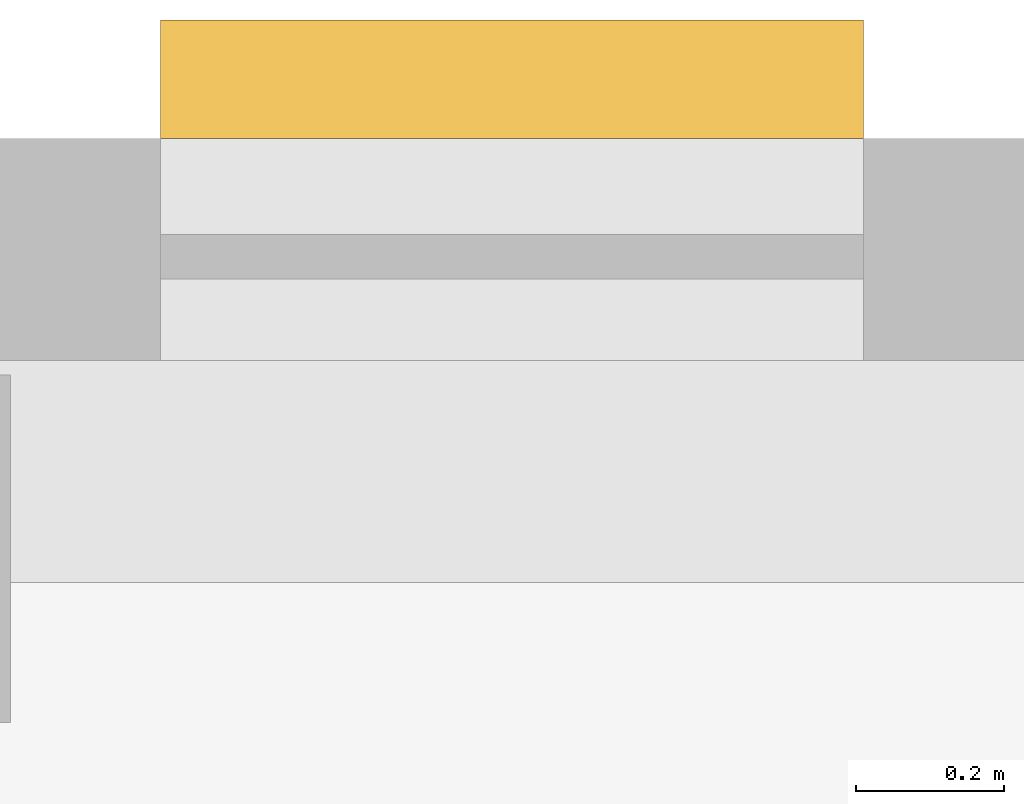
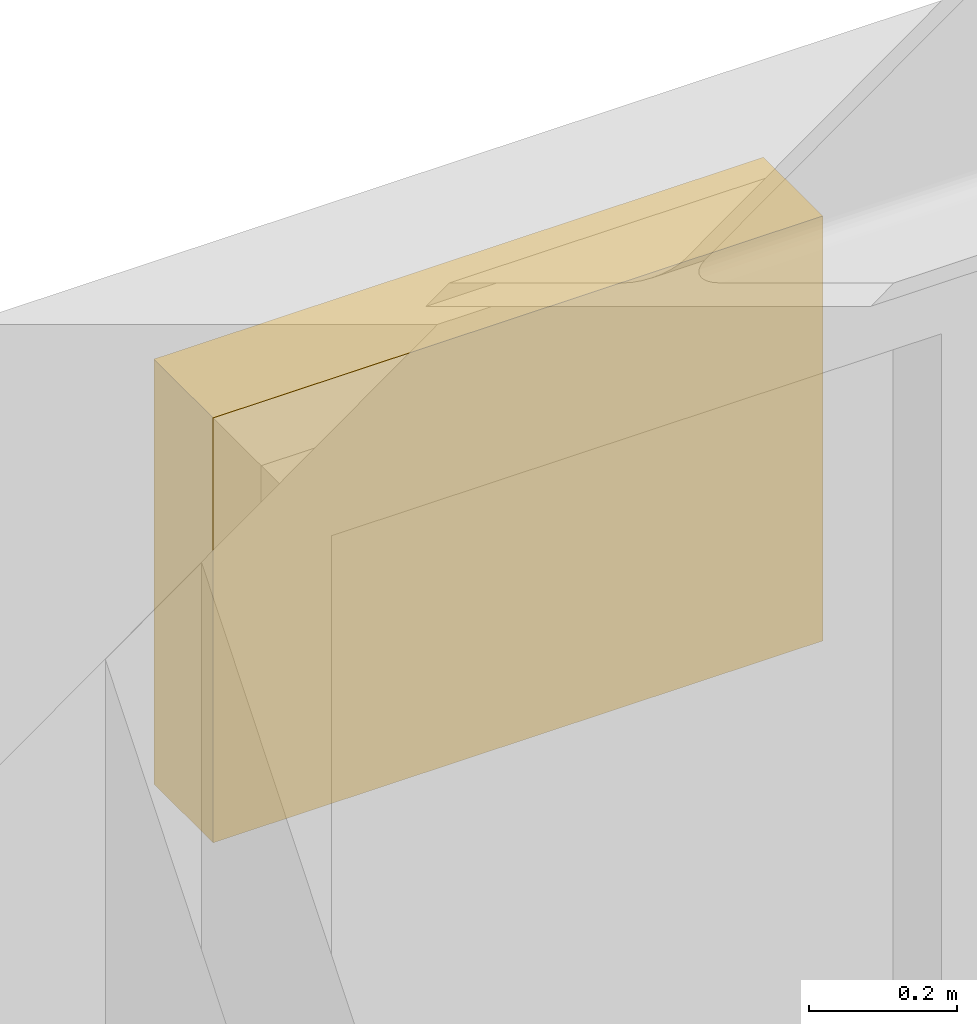
# One storey, part 10 of 10: 1 shading device.
"""IFC4 building model written with IfcOpenShell, lengths in metres."""

from ifc_helpers import new_model, si_unit, direction, frame, origin, origin_2d, place, context, subcontext, project, spatial, rectangle, extrude, material, type_object, element, save


model = new_model("IFC4")

# Units and contexts
model_context = context("Model", 3, precision=1e-05, world=origin(), true_north=direction((0.0, 1.0)))
body_context = subcontext(model_context, "Body", "Model", "MODEL_VIEW")
ifc_project = project(units=[si_unit("LENGTHUNIT", "METRE"), si_unit("AREAUNIT", "SQUARE_METRE"), si_unit("VOLUMEUNIT", "CUBIC_METRE"), si_unit("PLANEANGLEUNIT", "RADIAN"), si_unit("MASSUNIT", "GRAM", prefix="KILO")], contexts=[model_context])

# Site, building, storey
site_placement = place(None, origin())
site = spatial("IfcSite", under=ifc_project, at=site_placement, CompositionType="ELEMENT")
building_placement = place(site_placement, origin())
building = spatial("IfcBuilding", under=site, at=building_placement, Name="Orvandelia Arch Residences", CompositionType="ELEMENT")
storey_placement = place(building_placement, frame((0.0, 0.0, 110.800048828125)))
storey = spatial("IfcBuildingStorey", under=building, at=storey_placement, Name="L28", CompositionType="ELEMENT", Elevation=110.800048828125)

# Shading device
ifc_material = material(Name="Anodised Champagne-Bronze Extruded Aluminium", Category="aluminium")
shading_device_type = type_object("IfcShadingDeviceType", Name="SHD-JALOUSIE-SCREEN", PredefinedType="JALOUSIE", material=ifc_material)
shading_device_placement = place(storey_placement, frame((13.152587890625, 48.080078125, 1.5498046875), z_axis=(0.0, 0.0, 1.0), x_axis=(1.0, 0.0, 0.0)))
element("IfcShadingDevice", 1, at=shading_device_placement, inside=storey, type_object=shading_device_type, Name="Bronze Jalousie Sun-Shade L28-001", PredefinedType="JALOUSIE", context=body_context, shape_type="SweptSolid", body=[
    extrude(rectangle(XDim=0.949951171875, YDim=0.159912109375, at=origin_2d()), origin(), (0.0, 0.0, 1.0), 0.699951171875),
])

save(model, "model.ifc")
